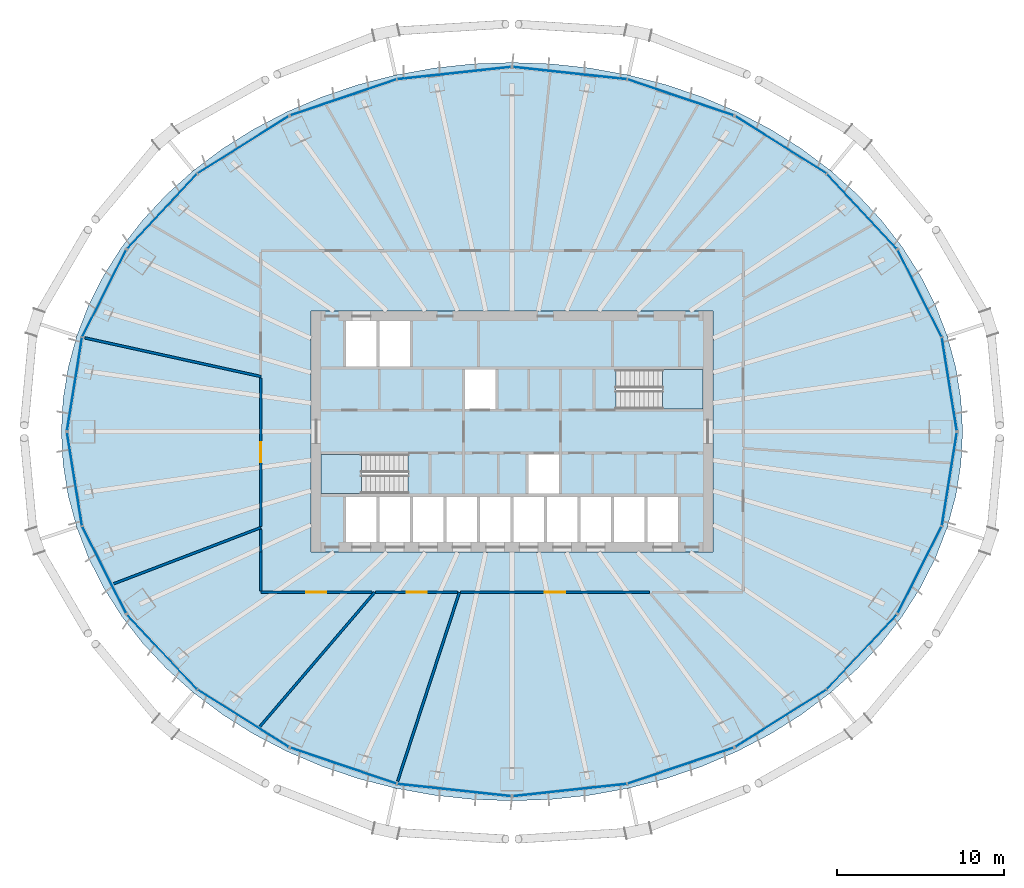
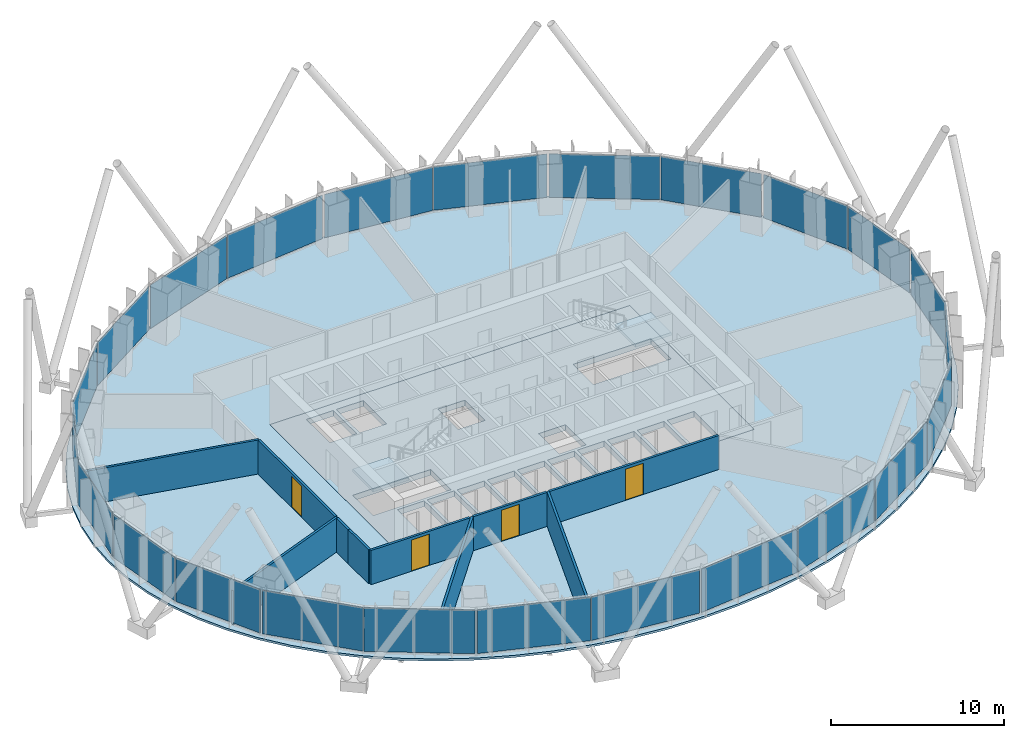
# One storey, part 7 of 18: 24 plates, 10 walls, 4 doors, 4 slabs, 4 openings, 14 elements without a shape of their own.
"""IFC4 building model written with IfcOpenShell, lengths in metres."""

from ifc_helpers import new_model, si_unit, direction, frame, frame_2d, origin, origin_2d, place, context, subcontext, project, spatial, polyline, rectangle, outline, extrude, material, layer, layer_set, type_object, element, fill, aggregate, save


model = new_model("IFC4")

# Units and contexts
model_context = context("Model", 3, precision=1e-05, world=origin(), true_north=direction((0.0, 1.0)))
body_context = subcontext(model_context, "Body", "Model", "MODEL_VIEW")
ifc_project = project(units=[si_unit("LENGTHUNIT", "METRE"), si_unit("AREAUNIT", "SQUARE_METRE"), si_unit("VOLUMEUNIT", "CUBIC_METRE"), si_unit("PLANEANGLEUNIT", "RADIAN"), si_unit("MASSUNIT", "GRAM", prefix="KILO")], contexts=[model_context])

# Site, building, storey
site_placement = place(None, origin())
site = spatial("IfcSite", under=ifc_project, at=site_placement, CompositionType="ELEMENT")
building_placement = place(site_placement, origin())
building = spatial("IfcBuilding", under=site, at=building_placement, Name="Siaravel Broadcast Tower", CompositionType="ELEMENT")
storey_placement = place(building_placement, frame((0.0, 0.0, 81.5)))
storey = spatial("IfcBuildingStorey", under=building, at=storey_placement, Name="L19", CompositionType="ELEMENT", Elevation=81.5)

# Curtain wall, plates
ifc_material_1 = material(Name="Aluminium 6063-T6", Category="aluminium")
ifc_layer_1 = layer(ifc_material_1, 0.219970703125)
ifc_layer_set_1 = layer_set([ifc_layer_1], Name="Aluminium 6063-T6")
curtain_wall_type = type_object("IfcCurtainWallType", Name="Unitised curtain wall, zone 1", PredefinedType="NOTDEFINED", material=ifc_layer_set_1)
curtain_wall_1_placement = place(storey_placement, origin())
curtain_wall_1 = element("IfcCurtainWall", 1, at=curtain_wall_1_placement, inside=storey, type_object=curtain_wall_type, Name="L19 Unitised curtain wall, zone 1 01", PredefinedType="NOTDEFINED")
ifc_material_2 = material(Name="Tinted laminated glass", Category="glass")
ifc_layer_2 = layer(ifc_material_2, 0.031982421875)
ifc_layer_set_2 = layer_set([ifc_layer_2], Name="Tinted laminated glass")
plate_type = type_object("IfcPlateType", Name="CW-Z1 glass panel", PredefinedType="CURTAIN_PANEL", material=ifc_layer_set_2)
plate_1_placement = place(storey_placement, frame((26.123291015625, 2.837158203125, 0.119873046875), z_axis=(0.0, 0.0, 1.0), x_axis=(-0.158685394, 0.987329198, 0.0)))
plate_1 = element("IfcPlate", 2, at=plate_1_placement, type_object=plate_type, Name="CW-Z1 glass panel", PredefinedType="CURTAIN_PANEL", context=body_context, shape_type="SweptSolid", body=[
    extrude(rectangle(XDim=5.607177734375, YDim=0.031982421875, at=origin_2d()), origin(), (0.0, 0.0, 1.0), 3.06005859375),
])
plate_2_placement = place(storey_placement, frame((24.352294921875, 8.25146484375, 0.119873046875), z_axis=(0.0, 0.0, 1.0), x_axis=(-0.45126051, 0.892392264, 0.0)))
plate_2 = element("IfcPlate", 3, at=plate_2_placement, type_object=plate_type, Name="CW-Z1 glass panel", PredefinedType="CURTAIN_PANEL", context=body_context, shape_type="SweptSolid", body=[
    extrude(rectangle(XDim=5.78271484375, YDim=0.031982421875, at=origin_2d()), origin(), (0.0, 0.0, 1.0), 3.06005859375),
])
aggregate(curtain_wall_1, [plate_1, plate_2])

curtain_wall_2_placement = place(storey_placement, origin())
curtain_wall_2 = element("IfcCurtainWall", 4, at=curtain_wall_2_placement, inside=storey, type_object=curtain_wall_type, Name="L19 Unitised curtain wall, zone 1 02", PredefinedType="NOTDEFINED")
plate_3_placement = place(storey_placement, frame((20.891357421875, 13.162109375, 0.119873046875), z_axis=(0.0, 0.0, 1.0), x_axis=(-0.683654607, 0.729805713, 0.0)))
plate_3 = element("IfcPlate", 5, at=plate_3_placement, type_object=plate_type, Name="CW-Z1 glass panel", PredefinedType="CURTAIN_PANEL", context=body_context, shape_type="SweptSolid", body=[
    extrude(rectangle(XDim=6.0751953125, YDim=0.031982421875, at=origin_2d()), origin(), (0.0, 0.0, 1.0), 3.06005859375),
])
plate_4_placement = place(storey_placement, frame((16.05322265625, 17.125244140625, 0.119873046875), z_axis=(0.0, 0.0, 1.0), x_axis=(-0.846650162, 0.532149888, 0.0)))
plate_4 = element("IfcPlate", 6, at=plate_4_placement, type_object=plate_type, Name="CW-Z1 glass panel", PredefinedType="CURTAIN_PANEL", context=body_context, shape_type="SweptSolid", body=[
    extrude(rectangle(XDim=6.396728515625, YDim=0.031982421875, at=origin_2d()), origin(), (0.0, 0.0, 1.0), 3.06005859375),
])
aggregate(curtain_wall_2, [plate_3, plate_4])

curtain_wall_3_placement = place(storey_placement, origin())
curtain_wall_3 = element("IfcCurtainWall", 7, at=curtain_wall_3_placement, inside=storey, type_object=curtain_wall_type, Name="L19 Unitised curtain wall, zone 1 03", PredefinedType="NOTDEFINED")
plate_5_placement = place(storey_placement, frame((10.06494140625, 19.957275390625, 0.119873046875), z_axis=(0.0, 0.0, 1.0), x_axis=(-0.946977056, 0.321301192, 0.0)))
plate_5 = element("IfcPlate", 8, at=plate_5_placement, type_object=plate_type, Name="CW-Z1 glass panel", PredefinedType="CURTAIN_PANEL", context=body_context, shape_type="SweptSolid", body=[
    extrude(rectangle(XDim=6.662841796875, YDim=0.031982421875, at=origin_2d()), origin(), (0.0, 0.0, 1.0), 3.06005859375),
])
plate_6_placement = place(storey_placement, frame((3.455810546875, 21.407958984375, 0.119873046875), z_axis=(0.0, 0.0, 1.0), x_axis=(-0.994235567, 0.10721771, 0.0)))
plate_6 = element("IfcPlate", 9, at=plate_6_placement, type_object=plate_type, Name="CW-Z1 glass panel", PredefinedType="CURTAIN_PANEL", context=body_context, shape_type="SweptSolid", body=[
    extrude(rectangle(XDim=6.81201171875, YDim=0.031982421875, at=origin_2d()), origin(), (0.0, 0.0, 1.0), 3.06005859375),
])
aggregate(curtain_wall_3, [plate_5, plate_6])

curtain_wall_4_placement = place(storey_placement, origin())
curtain_wall_4 = element("IfcCurtainWall", 10, at=curtain_wall_4_placement, inside=storey, type_object=curtain_wall_type, Name="L19 Unitised curtain wall, zone 1 04", PredefinedType="NOTDEFINED")
plate_7_placement = place(storey_placement, frame((-3.455810546875, 21.407958984375, 0.119873046875), z_axis=(0.0, 0.0, 1.0), x_axis=(-0.994235567, -0.10721771, 0.0)))
plate_7 = element("IfcPlate", 11, at=plate_7_placement, type_object=plate_type, Name="CW-Z1 glass panel", PredefinedType="CURTAIN_PANEL", context=body_context, shape_type="SweptSolid", body=[
    extrude(rectangle(XDim=6.81201171875, YDim=0.031982421875, at=origin_2d()), origin(), (0.0, 0.0, 1.0), 3.06005859375),
])
plate_8_placement = place(storey_placement, frame((-10.06494140625, 19.957275390625, 0.119873046875), z_axis=(0.0, 0.0, 1.0), x_axis=(-0.946977056, -0.321301192, 0.0)))
plate_8 = element("IfcPlate", 12, at=plate_8_placement, type_object=plate_type, Name="CW-Z1 glass panel", PredefinedType="CURTAIN_PANEL", context=body_context, shape_type="SweptSolid", body=[
    extrude(rectangle(XDim=6.662841796875, YDim=0.031982421875, at=origin_2d()), origin(), (0.0, 0.0, 1.0), 3.06005859375),
])
aggregate(curtain_wall_4, [plate_7, plate_8])

curtain_wall_5_placement = place(storey_placement, origin())
curtain_wall_5 = element("IfcCurtainWall", 13, at=curtain_wall_5_placement, inside=storey, type_object=curtain_wall_type, Name="L19 Unitised curtain wall, zone 1 05", PredefinedType="NOTDEFINED")
plate_9_placement = place(storey_placement, frame((-16.05322265625, 17.125244140625, 0.119873046875), z_axis=(0.0, 0.0, 1.0), x_axis=(-0.846650162, -0.532149888, 0.0)))
plate_9 = element("IfcPlate", 14, at=plate_9_placement, type_object=plate_type, Name="CW-Z1 glass panel", PredefinedType="CURTAIN_PANEL", context=body_context, shape_type="SweptSolid", body=[
    extrude(rectangle(XDim=6.396728515625, YDim=0.031982421875, at=origin_2d()), origin(), (0.0, 0.0, 1.0), 3.06005859375),
])
plate_10_placement = place(storey_placement, frame((-20.891357421875, 13.162109375, 0.119873046875), z_axis=(0.0, 0.0, 1.0), x_axis=(-0.683654607, -0.729805713, 0.0)))
plate_10 = element("IfcPlate", 15, at=plate_10_placement, type_object=plate_type, Name="CW-Z1 glass panel", PredefinedType="CURTAIN_PANEL", context=body_context, shape_type="SweptSolid", body=[
    extrude(rectangle(XDim=6.0751953125, YDim=0.031982421875, at=origin_2d()), origin(), (0.0, 0.0, 1.0), 3.06005859375),
])
aggregate(curtain_wall_5, [plate_9, plate_10])

curtain_wall_6_placement = place(storey_placement, origin())
curtain_wall_6 = element("IfcCurtainWall", 16, at=curtain_wall_6_placement, inside=storey, type_object=curtain_wall_type, Name="L19 Unitised curtain wall, zone 1 06", PredefinedType="NOTDEFINED")
plate_11_placement = place(storey_placement, frame((-24.352294921875, 8.25146484375, 0.119873046875), z_axis=(0.0, 0.0, 1.0), x_axis=(-0.45126051, -0.892392264, 0.0)))
plate_11 = element("IfcPlate", 17, at=plate_11_placement, type_object=plate_type, Name="CW-Z1 glass panel", PredefinedType="CURTAIN_PANEL", context=body_context, shape_type="SweptSolid", body=[
    extrude(rectangle(XDim=5.78271484375, YDim=0.031982421875, at=origin_2d()), origin(), (0.0, 0.0, 1.0), 3.06005859375),
])
plate_12_placement = place(storey_placement, frame((-26.123291015625, 2.837158203125, 0.119873046875), z_axis=(0.0, 0.0, 1.0), x_axis=(-0.158685394, -0.987329198, 0.0)))
plate_12 = element("IfcPlate", 18, at=plate_12_placement, type_object=plate_type, Name="CW-Z1 glass panel", PredefinedType="CURTAIN_PANEL", context=body_context, shape_type="SweptSolid", body=[
    extrude(rectangle(XDim=5.607177734375, YDim=0.031982421875, at=origin_2d()), origin(), (0.0, 0.0, 1.0), 3.06005859375),
])
aggregate(curtain_wall_6, [plate_11, plate_12])

curtain_wall_7_placement = place(storey_placement, origin())
curtain_wall_7 = element("IfcCurtainWall", 19, at=curtain_wall_7_placement, inside=storey, type_object=curtain_wall_type, Name="L19 Unitised curtain wall, zone 1 07", PredefinedType="NOTDEFINED")
plate_13_placement = place(storey_placement, frame((-26.123291015625, -2.837158203125, 0.119873046875), z_axis=(0.0, 0.0, 1.0), x_axis=(0.158685394, -0.987329198, 0.0)))
plate_13 = element("IfcPlate", 20, at=plate_13_placement, type_object=plate_type, Name="CW-Z1 glass panel", PredefinedType="CURTAIN_PANEL", context=body_context, shape_type="SweptSolid", body=[
    extrude(rectangle(XDim=5.607177734375, YDim=0.031982421875, at=origin_2d()), origin(), (0.0, 0.0, 1.0), 3.06005859375),
])
plate_14_placement = place(storey_placement, frame((-24.352294921875, -8.25146484375, 0.119873046875), z_axis=(0.0, 0.0, 1.0), x_axis=(0.45126051, -0.892392264, 0.0)))
plate_14 = element("IfcPlate", 21, at=plate_14_placement, type_object=plate_type, Name="CW-Z1 glass panel", PredefinedType="CURTAIN_PANEL", context=body_context, shape_type="SweptSolid", body=[
    extrude(rectangle(XDim=5.78271484375, YDim=0.031982421875, at=origin_2d()), origin(), (0.0, 0.0, 1.0), 3.06005859375),
])
aggregate(curtain_wall_7, [plate_13, plate_14])

curtain_wall_8_placement = place(storey_placement, origin())
curtain_wall_8 = element("IfcCurtainWall", 22, at=curtain_wall_8_placement, inside=storey, type_object=curtain_wall_type, Name="L19 Unitised curtain wall, zone 1 08", PredefinedType="NOTDEFINED")
plate_15_placement = place(storey_placement, frame((-20.891357421875, -13.162109375, 0.119873046875), z_axis=(0.0, 0.0, 1.0), x_axis=(0.683654607, -0.729805713, 0.0)))
plate_15 = element("IfcPlate", 23, at=plate_15_placement, type_object=plate_type, Name="CW-Z1 glass panel", PredefinedType="CURTAIN_PANEL", context=body_context, shape_type="SweptSolid", body=[
    extrude(rectangle(XDim=6.0751953125, YDim=0.031982421875, at=origin_2d()), origin(), (0.0, 0.0, 1.0), 3.06005859375),
])
plate_16_placement = place(storey_placement, frame((-16.05322265625, -17.125244140625, 0.119873046875), z_axis=(0.0, 0.0, 1.0), x_axis=(0.846650162, -0.532149888, 0.0)))
plate_16 = element("IfcPlate", 24, at=plate_16_placement, type_object=plate_type, Name="CW-Z1 glass panel", PredefinedType="CURTAIN_PANEL", context=body_context, shape_type="SweptSolid", body=[
    extrude(rectangle(XDim=6.396728515625, YDim=0.031982421875, at=origin_2d()), origin(), (0.0, 0.0, 1.0), 3.06005859375),
])
aggregate(curtain_wall_8, [plate_15, plate_16])

curtain_wall_9_placement = place(storey_placement, origin())
curtain_wall_9 = element("IfcCurtainWall", 25, at=curtain_wall_9_placement, inside=storey, type_object=curtain_wall_type, Name="L19 Unitised curtain wall, zone 1 09", PredefinedType="NOTDEFINED")
plate_17_placement = place(storey_placement, frame((-10.06494140625, -19.957275390625, 0.119873046875), z_axis=(0.0, 0.0, 1.0), x_axis=(0.946977056, -0.321301192, 0.0)))
plate_17 = element("IfcPlate", 26, at=plate_17_placement, type_object=plate_type, Name="CW-Z1 glass panel", PredefinedType="CURTAIN_PANEL", context=body_context, shape_type="SweptSolid", body=[
    extrude(rectangle(XDim=6.662841796875, YDim=0.031982421875, at=origin_2d()), origin(), (0.0, 0.0, 1.0), 3.06005859375),
])
plate_18_placement = place(storey_placement, frame((-3.455810546875, -21.407958984375, 0.119873046875), z_axis=(0.0, 0.0, 1.0), x_axis=(0.994235567, -0.10721771, 0.0)))
plate_18 = element("IfcPlate", 27, at=plate_18_placement, type_object=plate_type, Name="CW-Z1 glass panel", PredefinedType="CURTAIN_PANEL", context=body_context, shape_type="SweptSolid", body=[
    extrude(rectangle(XDim=6.81201171875, YDim=0.031982421875, at=origin_2d()), origin(), (0.0, 0.0, 1.0), 3.06005859375),
])
aggregate(curtain_wall_9, [plate_17, plate_18])

curtain_wall_10_placement = place(storey_placement, origin())
curtain_wall_10 = element("IfcCurtainWall", 28, at=curtain_wall_10_placement, inside=storey, type_object=curtain_wall_type, Name="L19 Unitised curtain wall, zone 1 10", PredefinedType="NOTDEFINED")
plate_19_placement = place(storey_placement, frame((3.455810546875, -21.407958984375, 0.119873046875), z_axis=(0.0, 0.0, 1.0), x_axis=(0.994235567, 0.10721771, 0.0)))
plate_19 = element("IfcPlate", 29, at=plate_19_placement, type_object=plate_type, Name="CW-Z1 glass panel", PredefinedType="CURTAIN_PANEL", context=body_context, shape_type="SweptSolid", body=[
    extrude(rectangle(XDim=6.81201171875, YDim=0.031982421875, at=origin_2d()), origin(), (0.0, 0.0, 1.0), 3.06005859375),
])
plate_20_placement = place(storey_placement, frame((10.06494140625, -19.957275390625, 0.119873046875), z_axis=(0.0, 0.0, 1.0), x_axis=(0.946977056, 0.321301192, 0.0)))
plate_20 = element("IfcPlate", 30, at=plate_20_placement, type_object=plate_type, Name="CW-Z1 glass panel", PredefinedType="CURTAIN_PANEL", context=body_context, shape_type="SweptSolid", body=[
    extrude(rectangle(XDim=6.662841796875, YDim=0.031982421875, at=origin_2d()), origin(), (0.0, 0.0, 1.0), 3.06005859375),
])
aggregate(curtain_wall_10, [plate_19, plate_20])

curtain_wall_11_placement = place(storey_placement, origin())
curtain_wall_11 = element("IfcCurtainWall", 31, at=curtain_wall_11_placement, inside=storey, type_object=curtain_wall_type, Name="L19 Unitised curtain wall, zone 1 11", PredefinedType="NOTDEFINED")
plate_21_placement = place(storey_placement, frame((16.05322265625, -17.125244140625, 0.119873046875), z_axis=(0.0, 0.0, 1.0), x_axis=(0.846650162, 0.532149888, 0.0)))
plate_21 = element("IfcPlate", 32, at=plate_21_placement, type_object=plate_type, Name="CW-Z1 glass panel", PredefinedType="CURTAIN_PANEL", context=body_context, shape_type="SweptSolid", body=[
    extrude(rectangle(XDim=6.396728515625, YDim=0.031982421875, at=origin_2d()), origin(), (0.0, 0.0, 1.0), 3.06005859375),
])
plate_22_placement = place(storey_placement, frame((20.891357421875, -13.162109375, 0.119873046875), z_axis=(0.0, 0.0, 1.0), x_axis=(0.683654607, 0.729805713, 0.0)))
plate_22 = element("IfcPlate", 33, at=plate_22_placement, type_object=plate_type, Name="CW-Z1 glass panel", PredefinedType="CURTAIN_PANEL", context=body_context, shape_type="SweptSolid", body=[
    extrude(rectangle(XDim=6.0751953125, YDim=0.031982421875, at=origin_2d()), origin(), (0.0, 0.0, 1.0), 3.06005859375),
])
aggregate(curtain_wall_11, [plate_21, plate_22])

curtain_wall_12_placement = place(storey_placement, origin())
curtain_wall_12 = element("IfcCurtainWall", 34, at=curtain_wall_12_placement, inside=storey, type_object=curtain_wall_type, Name="L19 Unitised curtain wall, zone 1 12", PredefinedType="NOTDEFINED")
plate_23_placement = place(storey_placement, frame((24.352294921875, -8.25146484375, 0.119873046875), z_axis=(0.0, 0.0, 1.0), x_axis=(0.45126051, 0.892392264, 0.0)))
plate_23 = element("IfcPlate", 35, at=plate_23_placement, type_object=plate_type, Name="CW-Z1 glass panel", PredefinedType="CURTAIN_PANEL", context=body_context, shape_type="SweptSolid", body=[
    extrude(rectangle(XDim=5.78271484375, YDim=0.031982421875, at=origin_2d()), origin(), (0.0, 0.0, 1.0), 3.06005859375),
])
plate_24_placement = place(storey_placement, frame((26.123291015625, -2.837158203125, 0.119873046875), z_axis=(0.0, 0.0, 1.0), x_axis=(0.158685394, 0.987329198, 0.0)))
plate_24 = element("IfcPlate", 36, at=plate_24_placement, type_object=plate_type, Name="CW-Z1 glass panel", PredefinedType="CURTAIN_PANEL", context=body_context, shape_type="SweptSolid", body=[
    extrude(rectangle(XDim=5.607177734375, YDim=0.031982421875, at=origin_2d()), origin(), (0.0, 0.0, 1.0), 3.06005859375),
])
aggregate(curtain_wall_12, [plate_23, plate_24])

# Slabs
ifc_material_3 = material(Name="Concrete C40/50", Category="concrete")
ifc_layer_3 = layer(ifc_material_3, 0.39990234375)
ifc_layer_set_3 = layer_set([ifc_layer_3], Name="Concrete C40/50")
slab_type_1 = type_object("IfcSlabType", Name="Core floor slab 400", PredefinedType="FLOOR", material=ifc_layer_set_3)
slab_1_placement = place(storey_placement, frame((0.0, 0.0, -0.39990234375)))
element("IfcSlab", 37, at=slab_1_placement, inside=storey, type_object=slab_type_1, Name="L19 core floor", PredefinedType="FLOOR", context=body_context, shape_type="SweptSolid", body=[
    extrude(outline(polyline([(-12.0, -7.199951171875), (-12.0, 7.199951171875), (12.0, 7.199951171875), (12.0, -7.199951171875), (-12.0, -7.199951171875)]), holes=[polyline([(11.3994140625, 1.3505859375), (11.3994140625, 3.699462890625), (6.200439453125, 3.699462890625), (6.200439453125, 1.3505859375), (11.3994140625, 1.3505859375)]), polyline([(9.89990234375, -3.89990234375), (8.10009765625, -3.89990234375), (8.10009765625, -6.60009765625), (9.89990234375, -6.60009765625), (9.89990234375, -3.89990234375)]), polyline([(7.89990234375, -3.89990234375), (6.10009765625, -3.89990234375), (6.10009765625, -6.60009765625), (7.89990234375, -6.60009765625), (7.89990234375, -3.89990234375)]), polyline([(5.89990234375, -3.89990234375), (4.10009765625, -3.89990234375), (4.10009765625, -6.60009765625), (5.89990234375, -6.60009765625), (5.89990234375, -3.89990234375)]), polyline([(3.89990234375, -3.89990234375), (2.10009765625, -3.89990234375), (2.10009765625, -6.60009765625), (3.89990234375, -6.60009765625), (3.89990234375, -3.89990234375)]), polyline([(2.800048828125, -1.35009765625), (1.0, -1.35009765625), (1.0, -3.699951171875), (2.800048828125, -3.699951171875), (2.800048828125, -1.35009765625)]), polyline([(1.89990234375, -3.89990234375), (0.10009765625, -3.89990234375), (0.10009765625, -6.60009765625), (1.89990234375, -6.60009765625), (1.89990234375, -3.89990234375)]), polyline([(-0.10009765625, -3.89990234375), (-1.89990234375, -3.89990234375), (-1.89990234375, -6.60009765625), (-0.10009765625, -6.60009765625), (-0.10009765625, -3.89990234375)]), polyline([(-1.0, 3.699951171875), (-2.800048828125, 3.699951171875), (-2.800048828125, 1.35009765625), (-1.0, 1.35009765625), (-1.0, 3.699951171875)]), polyline([(-2.10009765625, -3.89990234375), (-3.89990234375, -3.89990234375), (-3.89990234375, -6.60009765625), (-2.10009765625, -6.60009765625), (-2.10009765625, -3.89990234375)]), polyline([(-4.10009765625, -3.89990234375), (-5.89990234375, -3.89990234375), (-5.89990234375, -6.60009765625), (-4.10009765625, -6.60009765625), (-4.10009765625, -3.89990234375)]), polyline([(-6.10009765625, -3.89990234375), (-7.89990234375, -3.89990234375), (-7.89990234375, -6.60009765625), (-6.10009765625, -6.60009765625), (-6.10009765625, -3.89990234375)]), polyline([(-6.10009765625, 6.60009765625), (-7.89990234375, 6.60009765625), (-7.89990234375, 3.89990234375), (-6.10009765625, 3.89990234375), (-6.10009765625, 6.60009765625)]), polyline([(-11.3994140625, -1.3505859375), (-11.3994140625, -3.699462890625), (-6.200439453125, -3.699462890625), (-6.200439453125, -1.3505859375), (-11.3994140625, -1.3505859375)]), polyline([(-8.10009765625, -3.89990234375), (-9.89990234375, -3.89990234375), (-9.89990234375, -6.60009765625), (-8.10009765625, -6.60009765625), (-8.10009765625, -3.89990234375)]), polyline([(-8.10009765625, 6.60009765625), (-9.89990234375, 6.60009765625), (-9.89990234375, 3.89990234375), (-8.10009765625, 3.89990234375), (-8.10009765625, 6.60009765625)])]), origin(), (0.0, 0.0, 1.0), 0.39990234375),
])
ifc_layer_4 = layer(ifc_material_3, 0.14990234375)
ifc_layer_set_4 = layer_set([ifc_layer_4], Name="Concrete C40/50")
slab_type_2 = type_object("IfcSlabType", Name="SLB-FLOOR-150", PredefinedType="FLOOR", material=ifc_layer_set_4)
slab_2_placement = place(storey_placement, frame((0.0, 0.0, -0.14990234375)))
element("IfcSlab", 38, at=slab_2_placement, inside=storey, type_object=slab_type_2, Name="Floor slab", PredefinedType="FLOOR", context=body_context, shape_type="SweptSolid", body=[
    extrude(outline(polyline([(26.91357421875, 0.0), (26.811279296875, 1.92138671875), (26.504638671875, 3.828125), (25.99658203125, 5.705810546875), (25.29052734375, 7.539794921875), (24.39208984375, 9.316650390625), (23.307861328125, 11.022705078125), (22.04638671875, 12.644775390625), (20.616943359375, 14.17041015625), (19.03076171875, 15.58837890625), (17.2998046875, 16.8876953125), (15.43701171875, 18.05859375), (13.456787109375, 19.091796875), (11.374267578125, 19.979736328125), (9.205078125, 20.7158203125), (6.9658203125, 21.294189453125), (4.673583984375, 21.71044921875), (2.345703125, 21.96142578125), (0.0, 22.04541015625), (-2.345703125, 21.96142578125), (-4.673583984375, 21.71044921875), (-6.9658203125, 21.294189453125), (-9.205078125, 20.7158203125), (-11.374267578125, 19.979736328125), (-13.456787109375, 19.091796875), (-15.43701171875, 18.05859375), (-17.2998046875, 16.8876953125), (-19.03076171875, 15.58837890625), (-20.616943359375, 14.17041015625), (-22.04638671875, 12.644775390625), (-23.307861328125, 11.022705078125), (-24.39208984375, 9.316650390625), (-25.29052734375, 7.539794921875), (-25.99658203125, 5.705810546875), (-26.504638671875, 3.828125), (-26.811279296875, 1.92138671875), (-26.91357421875, 0.0), (-26.811279296875, -1.92138671875), (-26.504638671875, -3.828125), (-25.99658203125, -5.705810546875), (-25.29052734375, -7.539794921875), (-24.39208984375, -9.316650390625), (-23.307861328125, -11.022705078125), (-22.04638671875, -12.644775390625), (-20.616943359375, -14.17041015625), (-19.03076171875, -15.58837890625), (-17.2998046875, -16.8876953125), (-15.43701171875, -18.05859375), (-13.456787109375, -19.091796875), (-11.374267578125, -19.979736328125), (-9.205078125, -20.7158203125), (-6.9658203125, -21.294189453125), (-4.673583984375, -21.71044921875), (-2.345703125, -21.96142578125), (0.0, -22.04541015625), (2.345703125, -21.96142578125), (4.673583984375, -21.71044921875), (6.9658203125, -21.294189453125), (9.205078125, -20.7158203125), (11.374267578125, -19.979736328125), (13.456787109375, -19.091796875), (15.43701171875, -18.05859375), (17.2998046875, -16.8876953125), (19.03076171875, -15.58837890625), (20.616943359375, -14.17041015625), (22.04638671875, -12.644775390625), (23.307861328125, -11.022705078125), (24.39208984375, -9.316650390625), (25.29052734375, -7.539794921875), (25.99658203125, -5.705810546875), (26.504638671875, -3.828125), (26.811279296875, -1.92138671875), (26.91357421875, 0.0)]), holes=[polyline([(-12.0, 7.199951171875), (12.0, 7.199951171875), (12.0, -7.199951171875), (-12.0, -7.199951171875), (-12.0, 7.199951171875)])]), origin(), (0.0, 0.0, 1.0), 0.14990234375),
])

# Stair, slab
stair_type = type_object("IfcStairType", Name="Core exit stair", PredefinedType="HALF_TURN_STAIR", material=ifc_material_3)
stair_1_placement = place(storey_placement, origin())
stair_1 = element("IfcStair", 39, at=stair_1_placement, inside=storey, type_object=stair_type, Name="L19 Exit stair ST-1", PredefinedType="HALF_TURN_STAIR")
ifc_layer_5 = layer(ifc_material_3, 0.199951171875)
ifc_layer_set_5 = layer_set([ifc_layer_5], Name="Concrete C40/50")
slab_type_3 = type_object("IfcSlabType", Name="Stair landing", PredefinedType="LANDING", material=ifc_layer_set_5)
slab_3_placement = place(storey_placement, frame((0.0, 0.0, 1.64990234375)))
slab_3 = element("IfcSlab", 40, at=slab_3_placement, type_object=slab_type_3, Name="ST-1 landing 1", PredefinedType="LANDING", context=body_context, shape_type="SweptSolid", body=[
    extrude(outline(polyline([(-9.0, -1.35009765625), (-11.39990234375, -1.35009765625), (-11.39990234375, -3.699951171875), (-9.0, -3.699951171875), (-9.0, -1.35009765625)])), origin(), (0.0, 0.0, 1.0), 0.2001953125),
])
aggregate(stair_1, [slab_3])

stair_2_placement = place(storey_placement, origin())
stair_2 = element("IfcStair", 41, at=stair_2_placement, inside=storey, type_object=stair_type, Name="L19 Exit stair ST-2", PredefinedType="HALF_TURN_STAIR")
slab_4_placement = place(storey_placement, frame((0.0, 0.0, 1.64990234375)))
slab_4 = element("IfcSlab", 42, at=slab_4_placement, type_object=slab_type_3, Name="ST-2 landing 1", PredefinedType="LANDING", context=body_context, shape_type="SweptSolid", body=[
    extrude(outline(polyline([(9.0, 1.35009765625), (11.39990234375, 1.35009765625), (11.39990234375, 3.699951171875), (9.0, 3.699951171875), (9.0, 1.35009765625)])), origin(), (0.0, 0.0, 1.0), 0.2001953125),
])
aggregate(stair_2, [slab_4])

# Wall, opening, door
ifc_material_4 = material(Name="Gypsum board partition", Category="gypsum")
ifc_layer_6 = layer(ifc_material_4, 0.14990234375)
ifc_layer_set_6 = layer_set([ifc_layer_6], Name="Gypsum board partition")
wall_type_1 = type_object("IfcWallType", Name="Corridor wall 150", PredefinedType="PARTITIONING", material=ifc_layer_set_6)
wall_1_placement = place(storey_placement, frame((-3.067138671875, -9.60009765625, 0.0), z_axis=(0.0, 0.0, 1.0), x_axis=(1.0, 0.0, 0.0)))
wall_1 = element("IfcWall", 43, at=wall_1_placement, inside=storey, type_object=wall_type_1, Name="L19 partition 3", PredefinedType="PARTITIONING", context=body_context, shape_type="SweptSolid", body=[
    extrude(rectangle(XDim=11.2734375, YDim=0.14990234375, at=frame_2d((5.63671875, 0.0))), origin(), (0.0, 0.0, 1.0), 2.39990234375),
])
opening_1_placement = place(wall_1_placement, frame((5.03662109375, 0.0, 0.0)))
opening_1 = element("IfcOpeningElement", 44, at=opening_1_placement, cuts=wall_1, Name="Opening L19-008", PredefinedType="OPENING", context=body_context, shape_type="SweptSolid", body=[
    extrude(rectangle(XDim=1.199951171875, YDim=2.199951171875, at=frame_2d((0.60009765625, 1.10009765625))), frame((0.0, 0.0849609375, 0.0), z_axis=(0.0, -1.0, 0.0), x_axis=(1.0, 0.0, 0.0)), (0.0, 0.0, 1.0), 0.169921875),
])
ifc_material_5 = material(Name="Timber veneer", Category="wood")
door_type = type_object("IfcDoorType", Name="Office double door 1200", OperationType="DOUBLE_DOOR_SINGLE_SWING", PredefinedType="DOOR", material=ifc_material_5)
door_1_placement = place(opening_1_placement, origin())
door_1 = element("IfcDoor", 45, at=door_1_placement, inside=storey, type_object=door_type, Name="L19 door to Open plan newsroom", OperationType="DOUBLE_DOOR_SINGLE_SWING", OverallHeight=2.199951171875, OverallWidth=1.199951171875, PredefinedType="DOOR", context=body_context, shape_type="SweptSolid", body=[
    extrude(rectangle(XDim=1.199951171875, YDim=2.199951171875, at=frame_2d((0.60009765625, 1.10009765625))), frame((0.0, 0.02490234375, 0.0), z_axis=(0.0, -1.0, 0.0), x_axis=(1.0, 0.0, 0.0)), (0.0, 0.0, 1.0), 0.050048828125),
])
fill(opening_1, door_1)

wall_2_placement = place(storey_placement, frame((-15.0, 3.217041015625, 0.0), z_axis=(0.0, 0.0, 1.0), x_axis=(0.0, -1.0, 0.0)))
wall_2 = element("IfcWall", 46, at=wall_2_placement, inside=storey, type_object=wall_type_1, Name="L19 partition 12", PredefinedType="PARTITIONING", context=body_context, shape_type="SweptSolid", body=[
    extrude(rectangle(XDim=8.874267578125, YDim=0.14990234375, at=frame_2d((4.43701171875, 0.0))), origin(), (0.0, 0.0, 1.0), 2.39990234375),
])
opening_2_placement = place(wall_2_placement, frame((3.837158203125, 0.0, 0.0)))
opening_2 = element("IfcOpeningElement", 47, at=opening_2_placement, cuts=wall_2, Name="Opening L19-005", PredefinedType="OPENING", context=body_context, shape_type="SweptSolid", body=[
    extrude(rectangle(XDim=1.199951171875, YDim=2.199951171875, at=frame_2d((0.60009765625, 1.10009765625))), frame((0.0, 0.0849609375, 0.0), z_axis=(0.0, -1.0, 0.0), x_axis=(1.0, 0.0, 0.0)), (0.0, 0.0, 1.0), 0.169921875),
])
door_2_placement = place(opening_2_placement, origin())
door_2 = element("IfcDoor", 48, at=door_2_placement, inside=storey, type_object=door_type, Name="L19 door to Open plan newsroom", OperationType="DOUBLE_DOOR_SINGLE_SWING", OverallHeight=2.199951171875, OverallWidth=1.199951171875, PredefinedType="DOOR", context=body_context, shape_type="SweptSolid", body=[
    extrude(rectangle(XDim=1.199951171875, YDim=2.199951171875, at=frame_2d((0.60009765625, 1.10009765625))), frame((0.0, 0.02490234375, 0.0), z_axis=(0.0, -1.0, 0.0), x_axis=(1.0, 0.0, 0.0)), (0.0, 0.0, 1.0), 0.050048828125),
])
fill(opening_2, door_2)

wall_3_placement = place(storey_placement, frame((-15.0, -9.60009765625, 0.0), z_axis=(0.0, 0.0, 1.0), x_axis=(1.0, 0.0, 0.0)))
wall_3 = element("IfcWall", 49, at=wall_3_placement, inside=storey, type_object=wall_type_1, Name="L19 partition 18", PredefinedType="PARTITIONING", context=body_context, shape_type="SweptSolid", body=[
    extrude(rectangle(XDim=6.62890625, YDim=0.14990234375, at=frame_2d((3.314453125, 0.0))), origin(), (0.0, 0.0, 1.0), 2.39990234375),
])
opening_3_placement = place(wall_3_placement, frame((2.71435546875, 0.0, 0.0)))
opening_3 = element("IfcOpeningElement", 50, at=opening_3_placement, cuts=wall_3, Name="Opening L19-006", PredefinedType="OPENING", context=body_context, shape_type="SweptSolid", body=[
    extrude(rectangle(XDim=1.199951171875, YDim=2.199951171875, at=frame_2d((0.60009765625, 1.10009765625))), frame((0.0, 0.0849609375, 0.0), z_axis=(0.0, -1.0, 0.0), x_axis=(1.0, 0.0, 0.0)), (0.0, 0.0, 1.0), 0.169921875),
])
door_3_placement = place(opening_3_placement, origin())
door_3 = element("IfcDoor", 51, at=door_3_placement, inside=storey, type_object=door_type, Name="L19 door to Newsroom desk office", OperationType="DOUBLE_DOOR_SINGLE_SWING", OverallHeight=2.199951171875, OverallWidth=1.199951171875, PredefinedType="DOOR", context=body_context, shape_type="SweptSolid", body=[
    extrude(rectangle(XDim=1.199951171875, YDim=2.199951171875, at=frame_2d((0.60009765625, 1.10009765625))), frame((0.0, 0.02490234375, 0.0), z_axis=(0.0, -1.0, 0.0), x_axis=(1.0, 0.0, 0.0)), (0.0, 0.0, 1.0), 0.050048828125),
])
fill(opening_3, door_3)

wall_4_placement = place(storey_placement, frame((-8.1474609375, -9.60009765625, 0.0), z_axis=(0.0, 0.0, 1.0), x_axis=(1.0, 0.0, 0.0)))
wall_4 = element("IfcWall", 52, at=wall_4_placement, inside=storey, type_object=wall_type_1, Name="L19 partition 21", PredefinedType="PARTITIONING", context=body_context, shape_type="SweptSolid", body=[
    extrude(rectangle(XDim=4.901611328125, YDim=0.14990234375, at=frame_2d((2.45068359375, 0.0))), origin(), (0.0, 0.0, 1.0), 2.39990234375),
])
opening_4_placement = place(wall_4_placement, frame((1.850830078125, 0.0, 0.0)))
opening_4 = element("IfcOpeningElement", 53, at=opening_4_placement, cuts=wall_4, Name="Opening L19-007", PredefinedType="OPENING", context=body_context, shape_type="SweptSolid", body=[
    extrude(rectangle(XDim=1.199951171875, YDim=2.199951171875, at=frame_2d((0.60009765625, 1.10009765625))), frame((0.0, 0.0849609375, 0.0), z_axis=(0.0, -1.0, 0.0), x_axis=(1.0, 0.0, 0.0)), (0.0, 0.0, 1.0), 0.169921875),
])
door_4_placement = place(opening_4_placement, origin())
door_4 = element("IfcDoor", 54, at=door_4_placement, inside=storey, type_object=door_type, Name="L19 door to Newsroom desk office", OperationType="DOUBLE_DOOR_SINGLE_SWING", OverallHeight=2.199951171875, OverallWidth=1.199951171875, PredefinedType="DOOR", context=body_context, shape_type="SweptSolid", body=[
    extrude(rectangle(XDim=1.199951171875, YDim=2.199951171875, at=frame_2d((0.60009765625, 1.10009765625))), frame((0.0, 0.02490234375, 0.0), z_axis=(0.0, -1.0, 0.0), x_axis=(1.0, 0.0, 0.0)), (0.0, 0.0, 1.0), 0.050048828125),
])
fill(opening_4, door_4)

# Walls
wall_5_placement = place(storey_placement, frame((-15.0, -7.18798828125, 0.0), z_axis=(0.0, 0.0, 1.0), x_axis=(0.0, -1.0, 0.0)))
element("IfcWall", 55, at=wall_5_placement, inside=storey, type_object=wall_type_1, Name="L19 partition 27", PredefinedType="PARTITIONING", context=body_context, shape_type="SweptSolid", body=[
    extrude(rectangle(XDim=2.3349609375, YDim=0.14990234375, at=frame_2d((1.16748046875, 0.0))), origin(), (0.0, 0.0, 1.0), 2.39990234375),
])
wall_6_placement = place(storey_placement, frame((-15.0, -5.84033203125, 0.0), z_axis=(0.0, 0.0, 1.0), x_axis=(0.0, -1.0, 0.0)))
element("IfcWall", 56, at=wall_6_placement, inside=storey, type_object=wall_type_1, Name="L19 partition 30", PredefinedType="PARTITIONING", context=body_context, shape_type="SweptSolid", body=[
    extrude(rectangle(XDim=1.3466796875, YDim=0.14990234375, at=frame_2d((0.67333984375, 0.0))), origin(), (0.0, 0.0, 1.0), 2.39990234375),
])
ifc_layer_7 = layer(ifc_material_4, 0.14990234375)
ifc_layer_set_7 = layer_set([ifc_layer_7], Name="Gypsum board partition")
wall_type_2 = type_object("IfcWallType", Name="Room partition 150", PredefinedType="PARTITIONING", material=ifc_layer_set_7)
wall_7_placement = place(storey_placement, frame((-6.82861328125, -20.875, 0.0), z_axis=(0.0, 0.0, 1.0), x_axis=(0.310906905, 0.95044037, 0.0)))
element("IfcWall", 57, at=wall_7_placement, inside=storey, type_object=wall_type_2, Name="L19 partition 2", PredefinedType="PARTITIONING", context=body_context, shape_type="SweptSolid", body=[
    extrude(rectangle(XDim=11.86279296875, YDim=0.14990234375, at=frame_2d((5.931396484375, 0.0))), origin(), (0.0, 0.0, 1.0), 2.39990234375),
])
wall_8_placement = place(storey_placement, frame((-25.50830078125, 5.5986328125, 0.0), z_axis=(0.0, 0.0, 1.0), x_axis=(0.976750254, -0.214380365, 0.0)))
element("IfcWall", 58, at=wall_8_placement, inside=storey, type_object=wall_type_2, Name="L19 partition 5", PredefinedType="PARTITIONING", context=body_context, shape_type="SweptSolid", body=[
    extrude(rectangle(XDim=10.758544921875, YDim=0.14990234375, at=frame_2d((5.37939453125, 0.0))), origin(), (0.0, 0.0, 1.0), 2.39990234375),
])
wall_9_placement = place(storey_placement, frame((-15.13671875, -17.707275390625, 0.0), z_axis=(0.0, 0.0, 1.0), x_axis=(0.649786055, 0.76011715, 0.0)))
element("IfcWall", 59, at=wall_9_placement, inside=storey, type_object=wall_type_2, Name="L19 partition 7", PredefinedType="PARTITIONING", context=body_context, shape_type="SweptSolid", body=[
    extrude(rectangle(XDim=10.665771484375, YDim=0.14990234375, at=frame_2d((5.3330078125, 0.0))), origin(), (0.0, 0.0, 1.0), 2.39990234375),
])
wall_10_placement = place(storey_placement, frame((-23.929443359375, -9.14013671875, 0.0), z_axis=(0.0, 0.0, 1.0), x_axis=(0.934175823, 0.356813021, 0.0)))
element("IfcWall", 60, at=wall_10_placement, inside=storey, type_object=wall_type_2, Name="L19 partition 10", PredefinedType="PARTITIONING", context=body_context, shape_type="SweptSolid", body=[
    extrude(rectangle(XDim=9.55859375, YDim=0.14990234375, at=frame_2d((4.779296875, 0.0))), origin(), (0.0, 0.0, 1.0), 2.39990234375),
])

save(model, "model.ifc")
